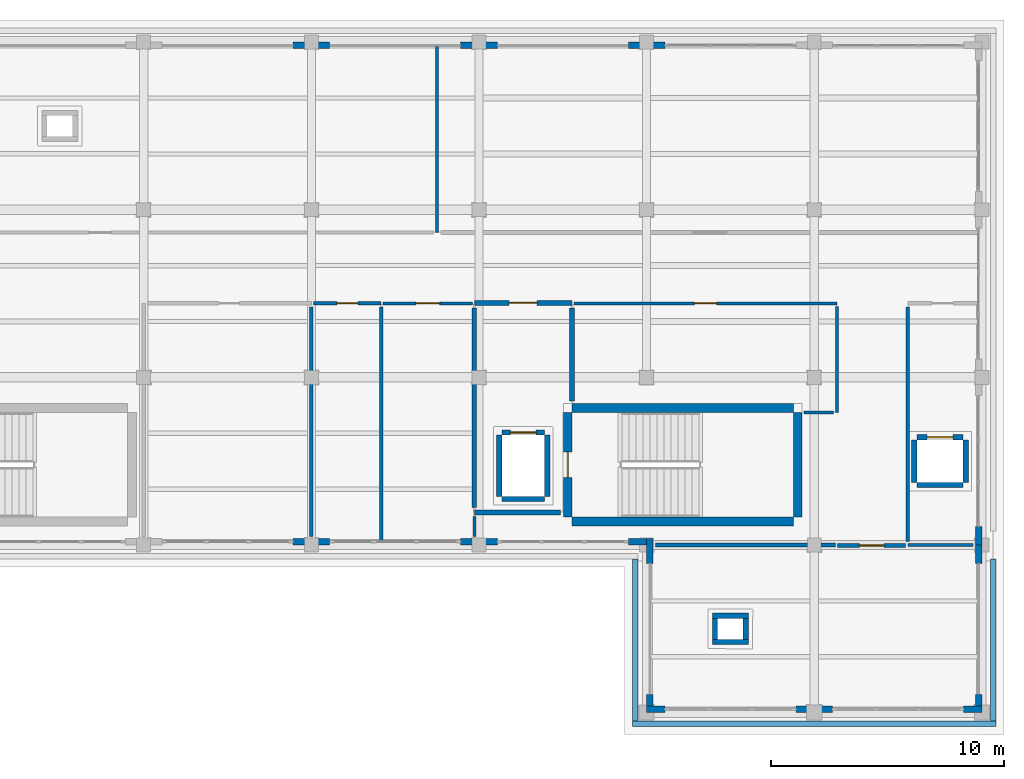
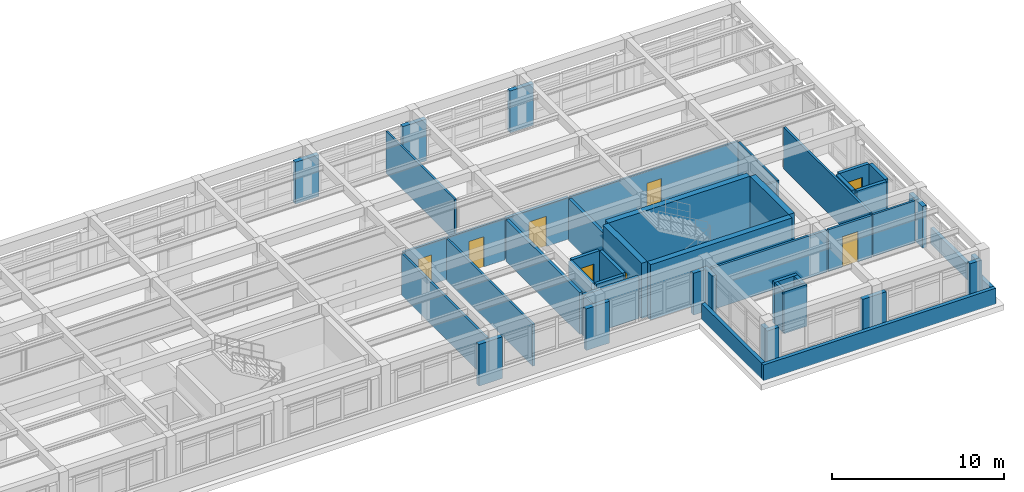
# One storey, part 15 of 19: 50 walls, 8 doors, 8 openings.
"""IFC4 building model written with IfcOpenShell, lengths in metres."""

import ifcopenshell
import ifcopenshell.guid

model = None  # the IFC model being written
_history = None  # IfcOwnerHistory: only IFC2X3 demands one
_inside = {}  # id of a spatial element -> (the spatial element, [elements in it])
_under = {}  # id of a project, library or spatial element -> (it, [spatial elements below it])
_declared = {}  # id of a project -> (the project, [libraries it declares])
_typed = {}  # id of a type object -> (the type object, [elements of that type])
_made_of = {}  # id of a material, layer set ... -> (it, [elements and type objects made of it])


def new_model(schema):
    """Start an empty IFC model of exactly this schema.

    Asked for "IFC4X3", IfcOpenShell would pick the latest addendum, in which some entities
    have other attributes; the version numbers below select the first issue.
    IFC2X3 requires an IfcOwnerHistory on every rooted entity: one is made here for all.
    """
    global model, _history
    if schema == "IFC4X3":
        model = ifcopenshell.file(schema_version=(4, 3, 0, 0))
    else:
        model = ifcopenshell.file(schema=schema)
    _inside.clear()
    _under.clear()
    _declared.clear()
    _typed.clear()
    _made_of.clear()
    _history = None
    if model.schema == "IFC2X3":
        org = make("IfcOrganization", Name="unknown")
        user = make(
            "IfcPersonAndOrganization",
            ThePerson=make("IfcPerson", FamilyName="unknown"),
            TheOrganization=org,
        )
        app = make(
            "IfcApplication",
            ApplicationDeveloper=org,
            Version="unknown",
            ApplicationFullName="unknown",
            ApplicationIdentifier="unknown",
        )
        _history = make(
            "IfcOwnerHistory",
            OwningUser=user,
            OwningApplication=app,
            ChangeAction="ADDED",
            CreationDate=0,
        )
    return model


def make(cls, **values):
    """One entity of the class cls with the attributes given. An attribute that is None is left unset."""
    return model.create_entity(
        cls, **{name: value for name, value in values.items() if value is not None}
    )


def rooted(cls, **values):
    """An entity with a GlobalId (a new one), such as an element, a storey or a relation."""
    return make(cls, GlobalId=ifcopenshell.guid.new(), OwnerHistory=_history, **values)


def si_unit(unit_type, name, prefix=None):
    """IfcSIUnit, for example si_unit("LENGTHUNIT", "METRE", prefix="MILLI")."""
    return make("IfcSIUnit", UnitType=unit_type, Prefix=prefix, Name=name)


def assignment(units):
    """IfcUnitAssignment: the units of a project."""
    return None if units is None else make("IfcUnitAssignment", Units=units)


def point(xyz):
    """IfcCartesianPoint."""
    return None if xyz is None else make("IfcCartesianPoint", Coordinates=xyz)


def direction(xyz):
    """IfcDirection."""
    return None if xyz is None else make("IfcDirection", DirectionRatios=xyz)


def frame(location, z_axis=None, x_axis=None):
    """IfcAxis2Placement3D, a coordinate frame: its origin and axes. An axis left out is left unset."""
    return make(
        "IfcAxis2Placement3D",
        Location=point(location),
        Axis=direction(z_axis),
        RefDirection=direction(x_axis),
    )


def frame_2d(location, x_axis=None):
    """IfcAxis2Placement2D, a coordinate frame in the plane: its origin and x axis."""
    return make(
        "IfcAxis2Placement2D", Location=point(location), RefDirection=direction(x_axis)
    )


def origin():
    """The frame at (0, 0, 0) with its axes left unset."""
    return frame((0.0, 0.0, 0.0))


def place(relative_to, where):
    """IfcLocalPlacement: puts the frame where relative to a parent placement (None: the world)."""
    return make(
        "IfcLocalPlacement", PlacementRelTo=relative_to, RelativePlacement=where
    )


def context(
    kind, dimensions, precision=None, world=None, true_north=None, identifier=None
):
    """IfcGeometricRepresentationContext, for example the 3D "Model" context."""
    return make(
        "IfcGeometricRepresentationContext",
        ContextIdentifier=identifier,
        ContextType=kind,
        CoordinateSpaceDimension=dimensions,
        Precision=precision,
        WorldCoordinateSystem=world,
        TrueNorth=true_north,
    )


def subcontext(parent, identifier, kind, view, scale=None):
    """IfcGeometricRepresentationSubContext, for example "Body" below "Model"."""
    return make(
        "IfcGeometricRepresentationSubContext",
        ContextIdentifier=identifier,
        ContextType=kind,
        ParentContext=parent,
        TargetScale=scale,
        TargetView=view,
    )


def project(units=None, contexts=None):
    """IfcProject with its units and contexts."""
    return rooted(
        "IfcProject",
        Name="project",
        RepresentationContexts=contexts,
        UnitsInContext=assignment(units),
    )


def spatial(cls, under=None, at=None, **own):
    """A site, building, storey or space (cls), placed at a placement, below another one or the project."""
    s = rooted(cls, ObjectPlacement=at, **own)
    if under is not None:
        _under.setdefault(under.id(), (under, []))[1].append(s)
    return s


def profile(cls, at=None, kind="AREA", **sizes):
    """A parametric profile (cls). Its sizes go by their IFC names, for example OverallWidth=200.0."""
    return make(cls, ProfileType=kind, Position=at, **sizes)


def rectangle(**sizes):
    """IfcRectangleProfileDef."""
    return profile("IfcRectangleProfileDef", **sizes)


def extrude(swept, where, along, depth):
    """IfcExtrudedAreaSolid: the profile swept, set in the frame where, extruded along a direction by depth."""
    return make(
        "IfcExtrudedAreaSolid",
        SweptArea=swept,
        Position=where,
        ExtrudedDirection=direction(along),
        Depth=depth,
    )


def shape(context_of_items, identifier, shape_type, items):
    """IfcShapeRepresentation: the items that make up one representation, for example the "Body"."""
    return make(
        "IfcShapeRepresentation",
        ContextOfItems=context_of_items,
        RepresentationIdentifier=identifier,
        RepresentationType=shape_type,
        Items=items,
    )


def material(Name=None, Category=None):
    """IfcMaterial."""
    return make("IfcMaterial", Name=Name, Category=Category)


def layer(
    of_material, thickness, ventilated=None, Name=None, Category=None, Priority=None
):
    """IfcMaterialLayer: one layer of a wall or slab, of a material (None: an air gap)."""
    return make(
        "IfcMaterialLayer",
        Material=of_material,
        LayerThickness=thickness,
        IsVentilated=ventilated,
        Name=Name,
        Category=Category,
        Priority=Priority,
    )


def layer_set(layers, Name=None):
    """IfcMaterialLayerSet."""
    return make("IfcMaterialLayerSet", MaterialLayers=layers, LayerSetName=Name)


def made_of(thing, what):
    """Note that an element or type object is made of a material, layer set ...; save() writes the relation."""
    if what is not None:
        _made_of.setdefault(what.id(), (what, []))[1].append(thing)
    return thing


def type_object(cls, material=None, **own):
    """A type object (cls), such as IfcWallType, which elements share."""
    return made_of(rooted(cls, **own), material)


def element(
    cls,
    number,
    at=None,
    inside=None,
    cuts=None,
    type_object=None,
    material=None,
    context=None,
    identifier="Body",
    shape_type=None,
    held_by="IfcProductDefinitionShape",
    body=None,
    shapes=None,
    **own,
):
    """One element of the class cls, such as IfcWall. Its Tag is "e" and its number.

    at: its placement. inside: the storey or other place that contains it. cuts: it is an
    opening in that element (IfcRelVoidsElement). A single representation is given by context,
    identifier, shape_type and body (its items); several are given by shapes. held_by: the class
    of the entity that holds the representations. save() writes the other relations.
    """
    e = rooted(cls, Tag="e%d" % number, ObjectPlacement=at, **own)
    if body is not None:
        shapes = [shape(context, identifier, shape_type, body)]
    if shapes is not None:
        e.Representation = make(held_by, Representations=shapes)
    if inside is not None:
        _inside.setdefault(inside.id(), (inside, []))[1].append(e)
    if cuts is not None:
        rooted(
            "IfcRelVoidsElement", RelatingBuildingElement=cuts, RelatedOpeningElement=e
        )
    if type_object is not None:
        _typed.setdefault(type_object.id(), (type_object, []))[1].append(e)
    return made_of(e, material)


def fill(opening, filler):
    """IfcRelFillsElement: the door or window that sits in an opening."""
    return rooted(
        "IfcRelFillsElement",
        RelatingOpeningElement=opening,
        RelatedBuildingElement=filler,
    )


def aggregate(whole, parts):
    """IfcRelAggregates: a whole, such as a stair, and the parts it consists of."""
    return rooted("IfcRelAggregates", RelatingObject=whole, RelatedObjects=parts)


def save(model, path):
    """Write the relations noted so far, then the file.

    IfcRelAggregates (storeys below a building ...), IfcRelContainedInSpatialStructure (elements
    in a storey), IfcRelDefinesByType, IfcRelAssociatesMaterial and IfcRelDeclares: one each for
    every whole, place, type object, material and project.
    """
    for whole, parts in _under.values():
        aggregate(whole, parts)
    for where, things in _inside.values():
        rooted(
            "IfcRelContainedInSpatialStructure",
            RelatedElements=things,
            RelatingStructure=where,
        )
    for kind, things in _typed.values():
        rooted("IfcRelDefinesByType", RelatedObjects=things, RelatingType=kind)
    for what, things in _made_of.values():
        rooted("IfcRelAssociatesMaterial", RelatedObjects=things, RelatingMaterial=what)
    for by, libraries in _declared.values():
        rooted("IfcRelDeclares", RelatingContext=by, RelatedDefinitions=libraries)
    model.write(path)


model = new_model("IFC4")

# Units and contexts
model_context = context("Model", 3, precision=1e-05, world=origin(), true_north=direction((0.0, 1.0)))
body_context = subcontext(model_context, "Body", "Model", "MODEL_VIEW")
ifc_project = project(units=[si_unit("LENGTHUNIT", "METRE"), si_unit("AREAUNIT", "SQUARE_METRE"), si_unit("VOLUMEUNIT", "CUBIC_METRE"), si_unit("PLANEANGLEUNIT", "RADIAN"), si_unit("MASSUNIT", "GRAM", prefix="KILO")], contexts=[model_context])

# Site, building, storey
site_placement = place(None, origin())
site = spatial("IfcSite", under=ifc_project, at=site_placement, CompositionType="ELEMENT")
building_placement = place(site_placement, origin())
building = spatial("IfcBuilding", under=site, at=building_placement, Name="Solenvale Faculty of Natural Sciences", CompositionType="ELEMENT")
storey_placement = place(building_placement, frame((0.0, 0.0, 27.0)))
storey = spatial("IfcBuildingStorey", under=building, at=storey_placement, Name="L06", CompositionType="ELEMENT", Elevation=27.0)

# Walls
ifc_material_1 = material(Name="Precast concrete 40 MPa", Category="concrete")
ifc_layer_1 = layer(ifc_material_1, 0.284912109375)
ifc_layer_set_1 = layer_set([ifc_layer_1], Name="Precast concrete 40 MPa")
wall_type_1 = type_object("IfcWallType", Name="WL-EXT-PRC-285", PredefinedType="STANDARD", material=ifc_layer_set_1)
wall_1_placement = place(storey_placement, frame((151.0576171875, 93.60009765625, 0.0), z_axis=(0.0, 0.0, 1.0), x_axis=(0.0, 1.0, 0.0)))
element("IfcWall", 1, at=wall_1_placement, inside=storey, type_object=wall_type_1, Name="L06 Facade Closure Pier 1.B1-L", PredefinedType="STANDARD", context=body_context, shape_type="SweptSolid", body=[
    extrude(rectangle(XDim=0.787841796875, YDim=0.284912109375, at=frame_2d((0.39404296875, 0.0))), origin(), (0.0, 0.0, 1.0), 2.9599609375),
])
for number, where, z_axis, x_axis, name in (
    (2, (137.587890625, 115.0576171875, 0.0), (0.0, 0.0, 1.0), (-1.0, 0.0, 0.0), "L06 Facade Closure Pier 2.B2-R"),
    (3, (130.387939453125, 115.0576171875, 0.0), (0.0, 0.0, 1.0), (-1.0, 0.0, 0.0), "L06 Facade Closure Pier 2.B3-R"),
    (4, (123.18798828125, 115.0576171875, 0.0), (0.0, 0.0, 1.0), (-1.0, 0.0, 0.0), "L06 Facade Closure Pier 2.B4-R"),
    (5, (121.612060546875, 93.742431640625, 0.0), (0.0, 0.0, 1.0), (1.0, 0.0, 0.0), "L06 Facade Closure Pier 4.B6-R"),
    (6, (128.81201171875, 93.742431640625, 0.0), (0.0, 0.0, 1.0), (1.0, 0.0, 0.0), "L06 Facade Closure Pier 4.B7-R"),
):
    element("IfcWall", number, at=place(storey_placement, frame(where, z_axis=z_axis, x_axis=x_axis)), inside=storey, type_object=wall_type_1, Name=name, PredefinedType="STANDARD", context=body_context, shape_type="SweptSolid", body=[
        extrude(rectangle(XDim=1.575927734375, YDim=0.284912109375, at=frame_2d((0.7880859375, 0.0))), origin(), (0.0, 0.0, 1.0), 2.9599609375),
    ])
wall_2_placement = place(storey_placement, frame((136.011962890625, 93.742431640625, 0.0), z_axis=(0.0, 0.0, 1.0), x_axis=(1.0, 0.0, 0.0)))
element("IfcWall", 7, at=wall_2_placement, inside=storey, type_object=wall_type_1, Name="L06 Facade Closure Pier 4.B8-R", PredefinedType="STANDARD", context=body_context, shape_type="SweptSolid", body=[
    extrude(rectangle(XDim=0.7880859375, YDim=0.284912109375, at=frame_2d((0.39404296875, 0.0))), origin(), (0.0, 0.0, 1.0), 2.9599609375),
])
wall_3_placement = place(storey_placement, frame((136.9423828125, 93.885009765625, 0.0), z_axis=(0.0, 0.0, 1.0), x_axis=(0.0, -1.0, 0.0)))
element("IfcWall", 8, at=wall_3_placement, inside=storey, type_object=wall_type_1, Name="L06 Facade Closure Pier 5.B1-L", PredefinedType="STANDARD", context=body_context, shape_type="SweptSolid", body=[
    extrude(rectangle(XDim=1.072998046875, YDim=0.284912109375, at=frame_2d((0.53662109375, 0.0))), origin(), (0.0, 0.0, 1.0), 2.9599609375),
])
wall_4_placement = place(storey_placement, frame((136.9423828125, 87.18798828125, 0.0), z_axis=(0.0, 0.0, 1.0), x_axis=(0.0, -1.0, 0.0)))
element("IfcWall", 9, at=wall_4_placement, inside=storey, type_object=wall_type_1, Name="L06 Facade Closure Pier 5.B1-R", PredefinedType="STANDARD", context=body_context, shape_type="SweptSolid", body=[
    extrude(rectangle(XDim=0.5029296875, YDim=0.284912109375, at=frame_2d((0.25146484375, 0.0))), origin(), (0.0, 0.0, 1.0), 2.9599609375),
])
wall_5_placement = place(storey_placement, frame((136.800048828125, 86.54248046875, 0.0), z_axis=(0.0, 0.0, 1.0), x_axis=(1.0, 0.0, 0.0)))
element("IfcWall", 10, at=wall_5_placement, inside=storey, type_object=wall_type_1, Name="L06 Facade Closure Pier 6.B1-L", PredefinedType="STANDARD", context=body_context, shape_type="SweptSolid", body=[
    extrude(rectangle(XDim=0.787841796875, YDim=0.284912109375, at=frame_2d((0.39404296875, 0.0))), origin(), (0.0, 0.0, 1.0), 2.9599609375),
])
wall_6_placement = place(storey_placement, frame((143.2119140625, 86.54248046875, 0.0), z_axis=(0.0, 0.0, 1.0), x_axis=(1.0, 0.0, 0.0)))
element("IfcWall", 11, at=wall_6_placement, inside=storey, type_object=wall_type_1, Name="L06 Facade Closure Pier 6.B1-R", PredefinedType="STANDARD", context=body_context, shape_type="SweptSolid", body=[
    extrude(rectangle(XDim=1.576171875, YDim=0.284912109375, at=frame_2d((0.7880859375, 0.0))), origin(), (0.0, 0.0, 1.0), 2.9599609375),
])
wall_7_placement = place(storey_placement, frame((150.412109375, 86.54248046875, 0.0), z_axis=(0.0, 0.0, 1.0), x_axis=(1.0, 0.0, 0.0)))
element("IfcWall", 12, at=wall_7_placement, inside=storey, type_object=wall_type_1, Name="L06 Facade Closure Pier 6.B2-R", PredefinedType="STANDARD", context=body_context, shape_type="SweptSolid", body=[
    extrude(rectangle(XDim=0.787841796875, YDim=0.284912109375, at=frame_2d((0.39404296875, 0.0))), origin(), (0.0, 0.0, 1.0), 2.9599609375),
])
wall_8_placement = place(storey_placement, frame((151.0576171875, 86.68505859375, 0.0), z_axis=(0.0, 0.0, 1.0), x_axis=(0.0, 1.0, 0.0)))
element("IfcWall", 13, at=wall_8_placement, inside=storey, type_object=wall_type_1, Name="L06 Facade Closure Pier 7.B1-L", PredefinedType="STANDARD", context=body_context, shape_type="SweptSolid", body=[
    extrude(rectangle(XDim=0.5029296875, YDim=0.284912109375, at=frame_2d((0.25146484375, 0.0))), origin(), (0.0, 0.0, 1.0), 2.9599609375),
])
wall_9_placement = place(storey_placement, frame((151.0576171875, 92.81201171875, 0.0), z_axis=(0.0, 0.0, 1.0), x_axis=(0.0, 1.0, 0.0)))
element("IfcWall", 14, at=wall_9_placement, inside=storey, type_object=wall_type_1, Name="L06 Facade Closure Pier 7.B1-R", PredefinedType="STANDARD", context=body_context, shape_type="SweptSolid", body=[
    extrude(rectangle(XDim=0.7880859375, YDim=0.284912109375, at=frame_2d((0.39404296875, 0.0))), origin(), (0.0, 0.0, 1.0), 2.9599609375),
])

# Wall, opening, door
ifc_material_2 = material(Name="Gypsum fire-rated shaftwall")
ifc_layer_2 = layer(ifc_material_2, 0.205078125)
ifc_layer_set_2 = layer_set([ifc_layer_2], Name="Gypsum fire-rated shaftwall")
wall_type_2 = type_object("IfcWallType", Name="WL-FFL-205", PredefinedType="PARTITIONING", material=ifc_layer_set_2)
wall_10_placement = place(storey_placement, frame((129.39990234375, 104.0, 0.0), z_axis=(0.0, 0.0, 1.0), x_axis=(1.0, 0.0, 0.0)))
wall_10 = element("IfcWall", 15, at=wall_10_placement, inside=storey, type_object=wall_type_2, Name="L06 Firefighting Lobby C5 Partition 1", PredefinedType="PARTITIONING", context=body_context, shape_type="SweptSolid", body=[
    extrude(rectangle(XDim=4.2001953125, YDim=0.205078125, at=frame_2d((2.10009765625, 0.0))), origin(), (0.0, 0.0, 1.0), 2.9599609375),
])
opening_1_placement = place(wall_10_placement, frame((1.5, 0.0, 0.0)))
opening_1 = element("IfcOpeningElement", 16, at=opening_1_placement, cuts=wall_10, Name="Opening D-L06-02", PredefinedType="OPENING", context=body_context, shape_type="SweptSolid", body=[
    extrude(rectangle(XDim=1.199951171875, YDim=2.14990234375, at=frame_2d((0.60009765625, 1.074951171875))), frame((0.0, 0.112548828125, 0.0), z_axis=(0.0, -1.0, 0.0), x_axis=(1.0, 0.0, 0.0)), (0.0, 0.0, 1.0), 0.22509765625),
])
ifc_material_3 = material(Name="Galvanised steel S355", Category="steel")
door_type_1 = type_object("IfcDoorType", Name="DR-FFL-1200x2150", OperationType="NOTDEFINED", PredefinedType="DOOR", material=ifc_material_3)
door_1_placement = place(opening_1_placement, origin())
door_1 = element("IfcDoor", 17, at=door_1_placement, inside=storey, type_object=door_type_1, Name="L06 Firefighting Lobby C5 Door", OperationType="SINGLE_SWING_LEFT", OverallHeight=2.14990234375, OverallWidth=1.199951171875, PredefinedType="DOOR", context=body_context, shape_type="SweptSolid", body=[
    extrude(rectangle(XDim=1.199951171875, YDim=2.14990234375, at=frame_2d((0.60009765625, 1.074951171875))), frame((0.0, 0.02490234375, 0.0), z_axis=(0.0, -1.0, 0.0), x_axis=(1.0, 0.0, 0.0)), (0.0, 0.0, 1.0), 0.050048828125),
])
fill(opening_1, door_1)

# Walls
wall_11_placement = place(storey_placement, frame((133.60009765625, 103.782958984375, 0.0), z_axis=(0.0, 0.0, 1.0), x_axis=(0.0, -1.0, 0.0)))
element("IfcWall", 18, at=wall_11_placement, inside=storey, type_object=wall_type_2, Name="L06 Firefighting Lobby C5 Partition 2", PredefinedType="PARTITIONING", context=body_context, shape_type="SweptSolid", body=[
    extrude(rectangle(XDim=3.989013671875, YDim=0.205078125, at=frame_2d((1.99462890625, 0.0))), origin(), (0.0, 0.0, 1.0), 2.9599609375),
])
wall_12_placement = place(storey_placement, frame((133.10595703125, 95.0, 0.0), z_axis=(0.0, 0.0, 1.0), x_axis=(-1.0, 0.0, 0.0)))
element("IfcWall", 19, at=wall_12_placement, inside=storey, type_object=wall_type_2, Name="L06 Firefighting Lobby C5 Partition 20", PredefinedType="PARTITIONING", context=body_context, shape_type="SweptSolid", body=[
    extrude(rectangle(XDim=3.7060546875, YDim=0.205078125, at=frame_2d((1.85302734375, 0.0))), origin(), (0.0, 0.0, 1.0), 2.9599609375),
])
wall_13_placement = place(storey_placement, frame((129.39990234375, 95.217041015625, 0.0), z_axis=(0.0, 0.0, 1.0), x_axis=(0.0, 1.0, 0.0)))
element("IfcWall", 20, at=wall_13_placement, inside=storey, type_object=wall_type_2, Name="L06 Firefighting Lobby C5 Partition 21", PredefinedType="PARTITIONING", context=body_context, shape_type="SweptSolid", body=[
    extrude(rectangle(XDim=8.56591796875, YDim=0.205078125, at=frame_2d((4.282958984375, 0.0))), origin(), (0.0, 0.0, 1.0), 2.9599609375),
])

# Wall, opening, door
ifc_material_4 = material(Name="Acoustic stud gypsum partition")
ifc_layer_3 = layer(ifc_material_4, 0.125)
ifc_layer_set_3 = layer_set([ifc_layer_3], Name="Acoustic stud gypsum partition")
wall_type_3 = type_object("IfcWallType", Name="WL-OFF-125", PredefinedType="PARTITIONING", material=ifc_layer_set_3)
wall_14_placement = place(storey_placement, frame((125.47509765625, 103.97998046875, 0.0), z_axis=(0.0, 0.0, 1.0), x_axis=(1.0, 0.0, 0.0)))
wall_14 = element("IfcWall", 21, at=wall_14_placement, inside=storey, type_object=wall_type_3, Name="L06 Analytical Balance Room Partition 2", PredefinedType="PARTITIONING", context=body_context, shape_type="SweptSolid", body=[
    extrude(rectangle(XDim=3.850830078125, YDim=0.125, at=frame_2d((1.92529296875, 0.0))), origin(), (0.0, 0.0, 1.0), 2.9599609375),
])
opening_2_placement = place(wall_14_placement, frame((1.4150390625, 0.0, 0.0)))
opening_2 = element("IfcOpeningElement", 22, at=opening_2_placement, cuts=wall_14, Name="Opening D-L06-09", PredefinedType="OPENING", context=body_context, shape_type="SweptSolid", body=[
    extrude(rectangle(XDim=1.02001953125, YDim=2.14990234375, at=frame_2d((0.510009765625, 1.074951171875))), frame((0.0, 0.072509765625, 0.0), z_axis=(0.0, -1.0, 0.0), x_axis=(1.0, 0.0, 0.0)), (0.0, 0.0, 1.0), 0.14501953125),
])
ifc_material_5 = material(Name="Oak acoustic timber leaf", Category="wood")
door_type_2 = type_object("IfcDoorType", Name="DR-OFF-1020x2150", OperationType="NOTDEFINED", PredefinedType="DOOR", material=ifc_material_5)
door_2_placement = place(opening_2_placement, origin())
door_2 = element("IfcDoor", 23, at=door_2_placement, inside=storey, type_object=door_type_2, Name="L06 Analytical Balance Room Door", OperationType="SINGLE_SWING_RIGHT", OverallHeight=2.14990234375, OverallWidth=1.02001953125, PredefinedType="DOOR", context=body_context, shape_type="SweptSolid", body=[
    extrude(rectangle(XDim=1.02001953125, YDim=2.14990234375, at=frame_2d((0.510009765625, 1.074951171875))), frame((0.0, 0.02490234375, 0.0), z_axis=(0.0, -1.0, 0.0), x_axis=(1.0, 0.0, 0.0)), (0.0, 0.0, 1.0), 0.050048828125),
])
fill(opening_2, door_2)

# Wall
wall_15_placement = place(storey_placement, frame((129.39990234375, 94.822998046875, 0.0), z_axis=(0.0, 0.0, 1.0), x_axis=(0.0, -1.0, 0.0)))
element("IfcWall", 24, at=wall_15_placement, inside=storey, type_object=wall_type_3, Name="L06 Analytical Balance Room Partition 20", PredefinedType="PARTITIONING", context=body_context, shape_type="SweptSolid", body=[
    extrude(rectangle(XDim=0.863037109375, YDim=0.125, at=frame_2d((0.431640625, 0.0))), origin(), (0.0, 0.0, 1.0), 2.9599609375),
])

# Wall, opening, door
ifc_layer_4 = layer(ifc_material_4, 0.132080078125)
ifc_layer_set_4 = layer_set([ifc_layer_4], Name="Acoustic stud gypsum partition")
wall_type_4 = type_object("IfcWallType", Name="WL-OFF-132", PredefinedType="PARTITIONING", material=ifc_layer_set_4)
wall_16_placement = place(storey_placement, frame((133.677978515625, 103.97998046875, 0.0), z_axis=(0.0, 0.0, 1.0), x_axis=(1.0, 0.0, 0.0)))
wall_16 = element("IfcWall", 25, at=wall_16_placement, inside=storey, type_object=wall_type_4, Name="L06 Building Electrical and Telecom Closet Partition 18", PredefinedType="PARTITIONING", context=body_context, shape_type="SweptSolid", body=[
    extrude(rectangle(XDim=11.302001953125, YDim=0.132080078125, at=frame_2d((5.65087890625, 0.0))), origin(), (0.0, 0.0, 1.0), 2.9599609375),
])
opening_3_placement = place(wall_16_placement, frame((5.176025390625, 0.0, 0.0)))
opening_3 = element("IfcOpeningElement", 26, at=opening_3_placement, cuts=wall_16, Name="Opening D-L06-10", PredefinedType="OPENING", context=body_context, shape_type="SweptSolid", body=[
    extrude(rectangle(XDim=0.949951171875, YDim=2.10009765625, at=frame_2d((0.47509765625, 1.050048828125))), frame((0.0, 0.075927734375, 0.0), z_axis=(0.0, -1.0, 0.0), x_axis=(1.0, 0.0, 0.0)), (0.0, 0.0, 1.0), 0.152099609375),
])
door_type_3 = type_object("IfcDoorType", Name="DR-OFF-0950x2100", OperationType="NOTDEFINED", PredefinedType="DOOR", material=ifc_material_5)
door_3_placement = place(opening_3_placement, origin())
door_3 = element("IfcDoor", 27, at=door_3_placement, inside=storey, type_object=door_type_3, Name="L06 Building Electrical and Telecom Closet Door", OperationType="SINGLE_SWING_LEFT", OverallHeight=2.10009765625, OverallWidth=0.949951171875, PredefinedType="DOOR", context=body_context, shape_type="SweptSolid", body=[
    extrude(rectangle(XDim=0.949951171875, YDim=2.10009765625, at=frame_2d((0.47509765625, 1.050048828125))), frame((0.0, 0.02490234375, 0.0), z_axis=(0.0, -1.0, 0.0), x_axis=(1.0, 0.0, 0.0)), (0.0, 0.0, 1.0), 0.050048828125),
])
fill(opening_3, door_3)

# Walls
wall_17_placement = place(storey_placement, frame((144.97998046875, 103.8359375, 0.0), z_axis=(0.0, 0.0, 1.0), x_axis=(0.0, -1.0, 0.0)))
element("IfcWall", 28, at=wall_17_placement, inside=storey, type_object=wall_type_4, Name="L06 Building Electrical and Telecom Closet Partition 19", PredefinedType="PARTITIONING", context=body_context, shape_type="SweptSolid", body=[
    extrude(rectangle(XDim=4.535888671875, YDim=0.132080078125, at=frame_2d((2.26806640625, 0.0))), origin(), (0.0, 0.0, 1.0), 2.9599609375),
])
wall_18_placement = place(storey_placement, frame((144.8359375, 99.300048828125, 0.0), z_axis=(0.0, 0.0, 1.0), x_axis=(-1.0, 0.0, 0.0)))
element("IfcWall", 29, at=wall_18_placement, inside=storey, type_object=wall_type_4, Name="L06 Building Electrical and Telecom Closet Partition 20", PredefinedType="PARTITIONING", context=body_context, shape_type="SweptSolid", body=[
    extrude(rectangle(XDim=1.27783203125, YDim=0.132080078125, at=frame_2d((0.638916015625, 0.0))), origin(), (0.0, 0.0, 1.0), 2.9599609375),
])
ifc_layer_5 = layer(ifc_material_4, 0.139892578125)
ifc_layer_set_5 = layer_set([ifc_layer_5], Name="Acoustic stud gypsum partition")
wall_type_5 = type_object("IfcWallType", Name="WL-OFF-140", PredefinedType="PARTITIONING", material=ifc_layer_set_5)
wall_19_placement = place(storey_placement, frame((127.800048828125, 115.01708984375, 0.0), z_axis=(0.0, 0.0, 1.0), x_axis=(0.0, -1.0, 0.0)))
element("IfcWall", 30, at=wall_19_placement, inside=storey, type_object=wall_type_5, Name="L06 Faculty Staff Office Partition 3", PredefinedType="PARTITIONING", context=body_context, shape_type="SweptSolid", body=[
    extrude(rectangle(XDim=7.9970703125, YDim=0.139892578125, at=frame_2d((3.99853515625, 0.0))), origin(), (0.0, 0.0, 1.0), 2.9599609375),
])
ifc_layer_6 = layer(ifc_material_4, 0.14794921875)
ifc_layer_set_6 = layer_set([ifc_layer_6], Name="Acoustic stud gypsum partition")
wall_type_6 = type_object("IfcWallType", Name="WL-OFF-148", PredefinedType="PARTITIONING", material=ifc_layer_set_6)
wall_20_placement = place(storey_placement, frame((150.8291015625, 93.60009765625, 0.0), z_axis=(0.0, 0.0, 1.0), x_axis=(-1.0, 0.0, 0.0)))
element("IfcWall", 31, at=wall_20_placement, inside=storey, type_object=wall_type_6, Name="L06 Elevator Lobby Partition 3", PredefinedType="PARTITIONING", context=body_context, shape_type="SweptSolid", body=[
    extrude(rectangle(XDim=2.80908203125, YDim=0.14794921875, at=frame_2d((1.404541015625, 0.0))), origin(), (0.0, 0.0, 1.0), 2.9599609375),
])
wall_21_placement = place(storey_placement, frame((148.02001953125, 93.760009765625, 0.0), z_axis=(0.0, 0.0, 1.0), x_axis=(0.0, 1.0, 0.0)))
element("IfcWall", 32, at=wall_21_placement, inside=storey, type_object=wall_type_6, Name="L06 Elevator Lobby Partition 4", PredefinedType="PARTITIONING", context=body_context, shape_type="SweptSolid", body=[
    extrude(rectangle(XDim=10.06005859375, YDim=0.14794921875, at=frame_2d((5.030029296875, 0.0))), origin(), (0.0, 0.0, 1.0), 2.9599609375),
])
ifc_material_6 = material(Name="Architectural bronze concrete 40 MPa", Category="concrete")
ifc_layer_7 = layer(ifc_material_6, 0.239990234375)
ifc_layer_set_7 = layer_set([ifc_layer_7], Name="Architectural bronze concrete 40 MPa")
wall_type_7 = type_object("IfcWallType", Name="WL-PAR-BRZ-240", PredefinedType="PARAPET", material=ifc_layer_set_7)
wall_22_placement = place(storey_placement, frame((151.679931640625, 93.0, 0.0), z_axis=(0.0, 0.0, 1.0), x_axis=(0.0, -1.0, 0.0)))
element("IfcWall", 33, at=wall_22_placement, inside=storey, type_object=wall_type_7, Name="L06 Tower Horizontal Concrete Band 5", PredefinedType="PARAPET", context=body_context, shape_type="SweptSolid", body=[
    extrude(rectangle(XDim=6.9599609375, YDim=0.239990234375, at=frame_2d((3.47998046875, 0.0))), origin(), (0.0, 0.0, 1.0), 1.1201171875),
])
wall_23_placement = place(storey_placement, frame((151.800048828125, 85.919921875, 0.0), z_axis=(0.0, 0.0, 1.0), x_axis=(-1.0, 0.0, 0.0)))
element("IfcWall", 34, at=wall_23_placement, inside=storey, type_object=wall_type_7, Name="L06 Tower Horizontal Concrete Band 6", PredefinedType="PARAPET", context=body_context, shape_type="SweptSolid", body=[
    extrude(rectangle(XDim=15.60009765625, YDim=0.239990234375, at=frame_2d((7.800048828125, 0.0))), origin(), (0.0, 0.0, 1.0), 1.1201171875),
])
wall_24_placement = place(storey_placement, frame((136.320068359375, 86.0400390625, 0.0), z_axis=(0.0, 0.0, 1.0), x_axis=(0.0, 1.0, 0.0)))
element("IfcWall", 35, at=wall_24_placement, inside=storey, type_object=wall_type_7, Name="L06 Tower Horizontal Concrete Band 7", PredefinedType="PARAPET", context=body_context, shape_type="SweptSolid", body=[
    extrude(rectangle(XDim=6.9599609375, YDim=0.239990234375, at=frame_2d((3.47998046875, 0.0))), origin(), (0.0, 0.0, 1.0), 1.1201171875),
])

# Wall, opening, door
ifc_material_7 = material(Name="Acoustic double-stud gypsum partition")
ifc_layer_8 = layer(ifc_material_7, 0.1650390625)
ifc_layer_set_8 = layer_set([ifc_layer_8], Name="Acoustic double-stud gypsum partition")
wall_type_8 = type_object("IfcWallType", Name="WL-SEM-165", PredefinedType="PARTITIONING", material=ifc_layer_set_8)
wall_25_placement = place(storey_placement, frame((145.0, 93.580078125, 0.0), z_axis=(0.0, 0.0, 1.0), x_axis=(1.0, 0.0, 0.0)))
wall_25 = element("IfcWall", 36, at=wall_25_placement, inside=storey, type_object=wall_type_8, Name="L06 Seminar Room Partition 16", PredefinedType="PARTITIONING", context=body_context, shape_type="SweptSolid", body=[
    extrude(rectangle(XDim=2.925048828125, YDim=0.1650390625, at=frame_2d((1.46240234375, 0.0))), origin(), (0.0, 0.0, 1.0), 2.9599609375),
])
opening_4_placement = place(wall_25_placement, frame((0.93798828125, 0.0, 0.0)))
opening_4 = element("IfcOpeningElement", 37, at=opening_4_placement, cuts=wall_25, Name="Opening D-L06-12", PredefinedType="OPENING", context=body_context, shape_type="SweptSolid", body=[
    extrude(rectangle(XDim=1.050048828125, YDim=2.14990234375, at=frame_2d((0.52490234375, 1.074951171875))), frame((0.0, 0.092529296875, 0.0), z_axis=(0.0, -1.0, 0.0), x_axis=(1.0, 0.0, 0.0)), (0.0, 0.0, 1.0), 0.18505859375),
])
door_type_4 = type_object("IfcDoorType", Name="DR-SEM-1050x2150", OperationType="NOTDEFINED", PredefinedType="DOOR", material=ifc_material_5)
door_4_placement = place(opening_4_placement, origin())
door_4 = element("IfcDoor", 38, at=door_4_placement, inside=storey, type_object=door_type_4, Name="L06 Seminar Room Door", OperationType="SINGLE_SWING_LEFT", OverallHeight=2.14990234375, OverallWidth=1.050048828125, PredefinedType="DOOR", context=body_context, shape_type="SweptSolid", body=[
    extrude(rectangle(XDim=1.050048828125, YDim=2.14990234375, at=frame_2d((0.52490234375, 1.074951171875))), frame((0.0, 0.02490234375, 0.0), z_axis=(0.0, -1.0, 0.0), x_axis=(1.0, 0.0, 0.0)), (0.0, 0.0, 1.0), 0.050048828125),
])
fill(opening_4, door_4)

# Walls
wall_26_placement = place(storey_placement, frame((137.179931640625, 93.60009765625, 0.0), z_axis=(0.0, 0.0, 1.0), x_axis=(1.0, 0.0, 0.0)))
element("IfcWall", 39, at=wall_26_placement, inside=storey, type_object=wall_type_8, Name="L06 Seminar Room Partition 33", PredefinedType="PARTITIONING", context=body_context, shape_type="SweptSolid", body=[
    extrude(rectangle(XDim=7.72509765625, YDim=0.1650390625, at=frame_2d((3.862548828125, 0.0))), origin(), (0.0, 0.0, 1.0), 2.9599609375),
])
ifc_material_8 = material(Name="Concrete 40 MPa", Category="concrete")
ifc_layer_9 = layer(ifc_material_8, 0.219970703125)
ifc_layer_set_9 = layer_set([ifc_layer_9], Name="Concrete 40 MPa")
wall_type_9 = type_object("IfcWallType", Name="WL-SHF-220", PredefinedType="STANDARD", material=ifc_layer_set_9)
wall_27_placement = place(storey_placement, frame((130.580078125, 95.570068359375, 0.0), z_axis=(0.0, 0.0, 1.0), x_axis=(1.0, 0.0, 0.0)))
element("IfcWall", 40, at=wall_27_placement, inside=storey, type_object=wall_type_9, Name="Elevator LF-02 L06 Shaft Wall S", PredefinedType="STANDARD", context=body_context, shape_type="SweptSolid", body=[
    extrude(rectangle(XDim=1.83984375, YDim=0.219970703125, at=frame_2d((0.919921875, 0.0))), origin(), (0.0, 0.0, 1.0), 2.9599609375),
])

# Wall, opening, door
wall_28_placement = place(storey_placement, frame((130.580078125, 98.429931640625, 0.0), z_axis=(0.0, 0.0, 1.0), x_axis=(1.0, 0.0, 0.0)))
wall_28 = element("IfcWall", 41, at=wall_28_placement, inside=storey, type_object=wall_type_9, Name="Elevator LF-02 L06 Shaft Wall N", PredefinedType="STANDARD", context=body_context, shape_type="SweptSolid", body=[
    extrude(rectangle(XDim=1.83984375, YDim=0.219970703125, at=frame_2d((0.919921875, 0.0))), origin(), (0.0, 0.0, 1.0), 2.9599609375),
])
opening_5_placement = place(wall_28_placement, frame((0.3701171875, 0.0, 0.0)))
opening_5 = element("IfcOpeningElement", 42, at=opening_5_placement, cuts=wall_28, Name="Opening LD-LF-02-L06", PredefinedType="OPENING", context=body_context, shape_type="SweptSolid", body=[
    extrude(rectangle(XDim=1.10009765625, YDim=2.14990234375, at=frame_2d((0.550048828125, 1.074951171875))), frame((0.0, 0.119873046875, 0.0), z_axis=(0.0, -1.0, 0.0), x_axis=(1.0, 0.0, 0.0)), (0.0, 0.0, 1.0), 0.239990234375),
])
ifc_material_9 = material(Name="Stainless steel Grade 304", Category="steel")
door_type_5 = type_object("IfcDoorType", Name="DR-LIFT-1100x2150", OperationType="NOTDEFINED", PredefinedType="DOOR", material=ifc_material_9)
door_5_placement = place(opening_5_placement, origin())
door_5 = element("IfcDoor", 43, at=door_5_placement, inside=storey, type_object=door_type_5, Name="Elevator LF-02 L06 Sliding Landing Door", OperationType="SLIDING_TO_LEFT", OverallHeight=2.14990234375, OverallWidth=1.10009765625, PredefinedType="DOOR", context=body_context, shape_type="SweptSolid", body=[
    extrude(rectangle(XDim=1.10009765625, YDim=2.14990234375, at=frame_2d((0.550048828125, 1.074951171875))), frame((0.0, 0.02490234375, 0.0), z_axis=(0.0, -1.0, 0.0), x_axis=(1.0, 0.0, 0.0)), (0.0, 0.0, 1.0), 0.050048828125),
])
fill(opening_5, door_5)

# Walls
for number, where, z_axis, x_axis, name in (
    (44, (130.469970703125, 95.679931640625, 0.0), (0.0, 0.0, 1.0), (0.0, 1.0, 0.0), "Elevator LF-02 L06 Shaft Wall W"),
    (45, (132.530029296875, 95.679931640625, 0.0), (0.0, 0.0, 1.0), (0.0, 1.0, 0.0), "Elevator LF-02 L06 Shaft Wall E"),
):
    element("IfcWall", number, at=place(storey_placement, frame(where, z_axis=z_axis, x_axis=x_axis)), inside=storey, type_object=wall_type_9, Name=name, PredefinedType="STANDARD", context=body_context, shape_type="SweptSolid", body=[
        extrude(rectangle(XDim=2.64013671875, YDim=0.219970703125, at=frame_2d((1.320068359375, 0.0))), origin(), (0.0, 0.0, 1.0), 2.9599609375),
    ])
wall_29_placement = place(storey_placement, frame((148.405029296875, 96.169921875, 0.0), z_axis=(0.0, 0.0, 1.0), x_axis=(1.0, 0.0, 0.0)))
element("IfcWall", 46, at=wall_29_placement, inside=storey, type_object=wall_type_9, Name="Elevator LP-03 L06 Shaft Wall S", PredefinedType="STANDARD", context=body_context, shape_type="SweptSolid", body=[
    extrude(rectangle(XDim=1.989990234375, YDim=0.219970703125, at=frame_2d((0.9951171875, 0.0))), origin(), (0.0, 0.0, 1.0), 2.9599609375),
])

# Wall, opening, door
wall_30_placement = place(storey_placement, frame((148.405029296875, 98.22998046875, 0.0), z_axis=(0.0, 0.0, 1.0), x_axis=(1.0, 0.0, 0.0)))
wall_30 = element("IfcWall", 47, at=wall_30_placement, inside=storey, type_object=wall_type_9, Name="Elevator LP-03 L06 Shaft Wall N", PredefinedType="STANDARD", context=body_context, shape_type="SweptSolid", body=[
    extrude(rectangle(XDim=1.989990234375, YDim=0.219970703125, at=frame_2d((0.9951171875, 0.0))), origin(), (0.0, 0.0, 1.0), 2.9599609375),
])
opening_6_placement = place(wall_30_placement, frame((0.445068359375, 0.0, 0.0)))
opening_6 = element("IfcOpeningElement", 48, at=opening_6_placement, cuts=wall_30, Name="Opening LD-LP-03-L06", PredefinedType="OPENING", context=body_context, shape_type="SweptSolid", body=[
    extrude(rectangle(XDim=1.10009765625, YDim=2.14990234375, at=frame_2d((0.550048828125, 1.074951171875))), frame((0.0, 0.119873046875, 0.0), z_axis=(0.0, -1.0, 0.0), x_axis=(1.0, 0.0, 0.0)), (0.0, 0.0, 1.0), 0.239990234375),
])
door_6_placement = place(opening_6_placement, origin())
door_6 = element("IfcDoor", 49, at=door_6_placement, inside=storey, type_object=door_type_5, Name="Elevator LP-03 L06 Sliding Landing Door", OperationType="SLIDING_TO_LEFT", OverallHeight=2.14990234375, OverallWidth=1.10009765625, PredefinedType="DOOR", context=body_context, shape_type="SweptSolid", body=[
    extrude(rectangle(XDim=1.10009765625, YDim=2.14990234375, at=frame_2d((0.550048828125, 1.074951171875))), frame((0.0, 0.02490234375, 0.0), z_axis=(0.0, -1.0, 0.0), x_axis=(1.0, 0.0, 0.0)), (0.0, 0.0, 1.0), 0.050048828125),
])
fill(opening_6, door_6)

# Walls
for number, where, z_axis, x_axis, name in (
    (50, (148.294921875, 96.280029296875, 0.0), (0.0, 0.0, 1.0), (0.0, 1.0, 0.0), "Elevator LP-03 L06 Shaft Wall W"),
    (51, (150.5048828125, 96.280029296875, 0.0), (0.0, 0.0, 1.0), (0.0, 1.0, 0.0), "Elevator LP-03 L06 Shaft Wall E"),
):
    element("IfcWall", number, at=place(storey_placement, frame(where, z_axis=z_axis, x_axis=x_axis)), inside=storey, type_object=wall_type_9, Name=name, PredefinedType="STANDARD", context=body_context, shape_type="SweptSolid", body=[
        extrude(rectangle(XDim=1.840087890625, YDim=0.219970703125, at=frame_2d((0.919921875, 0.0))), origin(), (0.0, 0.0, 1.0), 2.9599609375),
    ])
for number, where, z_axis, x_axis, name in (
    (52, (139.6298828125, 89.43994140625, 0.0), (0.0, 0.0, 1.0), (1.0, 0.0, 0.0), "L06 Service Riser Shaft 3 Wall S"),
    (53, (139.6298828125, 90.56005859375, 0.0), (0.0, 0.0, 1.0), (1.0, 0.0, 0.0), "L06 Service Riser Shaft 3 Wall N"),
):
    element("IfcWall", number, at=place(storey_placement, frame(where, z_axis=z_axis, x_axis=x_axis)), inside=storey, type_object=wall_type_9, Name=name, PredefinedType="STANDARD", context=body_context, shape_type="SweptSolid", body=[
        extrude(rectangle(XDim=1.5400390625, YDim=0.219970703125, at=frame_2d((0.77001953125, 0.0))), origin(), (0.0, 0.0, 1.0), 2.9599609375),
    ])
for number, where, z_axis, x_axis, name in (
    (54, (139.739990234375, 89.550048828125, 0.0), (0.0, 0.0, 1.0), (0.0, 1.0, 0.0), "L06 Service Riser Shaft 3 Wall W"),
    (55, (141.06005859375, 89.550048828125, 0.0), (0.0, 0.0, 1.0), (0.0, 1.0, 0.0), "L06 Service Riser Shaft 3 Wall E"),
):
    element("IfcWall", number, at=place(storey_placement, frame(where, z_axis=z_axis, x_axis=x_axis)), inside=storey, type_object=wall_type_9, Name=name, PredefinedType="STANDARD", context=body_context, shape_type="SweptSolid", body=[
        extrude(rectangle(XDim=0.89990234375, YDim=0.219970703125, at=frame_2d((0.449951171875, 0.0))), origin(), (0.0, 0.0, 1.0), 2.9599609375),
    ])
ifc_material_10 = material(Name="Concrete 50 MPa", Category="concrete")
ifc_layer_10 = layer(ifc_material_10, 0.3798828125)
ifc_layer_set_10 = layer_set([ifc_layer_10], Name="Concrete 50 MPa")
wall_type_10 = type_object("IfcWallType", Name="WL-SHR-380", PredefinedType="SHEAR", material=ifc_layer_set_10)
for number, where, z_axis, x_axis, name in (
    (56, (133.60009765625, 94.610107421875, 0.0), (0.0, 0.0, 1.0), (1.0, 0.0, 0.0), "Core C5 L06 Shear Wall S"),
    (57, (133.60009765625, 99.489990234375, 0.0), (0.0, 0.0, 1.0), (1.0, 0.0, 0.0), "Core C5 L06 Shear Wall N"),
):
    element("IfcWall", number, at=place(storey_placement, frame(where, z_axis=z_axis, x_axis=x_axis)), inside=storey, type_object=wall_type_10, Name=name, PredefinedType="SHEAR", context=body_context, shape_type="SweptSolid", body=[
        extrude(rectangle(XDim=9.5, YDim=0.3798828125, at=frame_2d((4.75, 0.0))), origin(), (0.0, 0.0, 1.0), 3.919921875),
    ])

# Wall, opening, door
wall_31_placement = place(storey_placement, frame((133.409912109375, 94.800048828125, 0.0), z_axis=(0.0, 0.0, 1.0), x_axis=(0.0, 1.0, 0.0)))
wall_31 = element("IfcWall", 58, at=wall_31_placement, inside=storey, type_object=wall_type_10, Name="Core C5 L06 Shear Wall W", PredefinedType="SHEAR", context=body_context, shape_type="SweptSolid", body=[
    extrude(rectangle(XDim=4.5, YDim=0.3798828125, at=frame_2d((2.25, 0.0))), origin(), (0.0, 0.0, 1.0), 3.919921875),
])
opening_7_placement = place(wall_31_placement, frame((1.699951171875, 0.0, 0.0)))
opening_7 = element("IfcOpeningElement", 59, at=opening_7_placement, cuts=wall_31, Name="Opening DS-C5-L06", PredefinedType="OPENING", context=body_context, shape_type="SweptSolid", body=[
    extrude(rectangle(XDim=1.10009765625, YDim=2.14990234375, at=frame_2d((0.550048828125, 1.074951171875))), frame((0.0, 0.199951171875, 0.0), z_axis=(0.0, -1.0, 0.0), x_axis=(1.0, 0.0, 0.0)), (0.0, 0.0, 1.0), 0.39990234375),
])
door_type_6 = type_object("IfcDoorType", Name="DR-STAIR-1100x2150", OperationType="NOTDEFINED", PredefinedType="DOOR", material=ifc_material_3)
door_7_placement = place(opening_7_placement, origin())
door_7 = element("IfcDoor", 60, at=door_7_placement, inside=storey, type_object=door_type_6, Name="L06 Stair ST-05 Fire Door", OperationType="SINGLE_SWING_LEFT", OverallHeight=2.14990234375, OverallWidth=1.10009765625, PredefinedType="DOOR", context=body_context, shape_type="SweptSolid", body=[
    extrude(rectangle(XDim=1.10009765625, YDim=2.14990234375, at=frame_2d((0.550048828125, 1.074951171875))), frame((0.0, 0.02490234375, 0.0), z_axis=(0.0, -1.0, 0.0), x_axis=(1.0, 0.0, 0.0)), (0.0, 0.0, 1.0), 0.050048828125),
])
fill(opening_7, door_7)

# Walls
wall_32_placement = place(storey_placement, frame((143.2900390625, 94.800048828125, 0.0), z_axis=(0.0, 0.0, 1.0), x_axis=(0.0, 1.0, 0.0)))
element("IfcWall", 61, at=wall_32_placement, inside=storey, type_object=wall_type_10, Name="Core C5 L06 Shear Wall E", PredefinedType="SHEAR", context=body_context, shape_type="SweptSolid", body=[
    extrude(rectangle(XDim=4.5, YDim=0.3798828125, at=frame_2d((2.25, 0.0))), origin(), (0.0, 0.0, 1.0), 3.919921875),
])
ifc_material_11 = material(Name="Moisture-resistant tile partition")
ifc_layer_11 = layer(ifc_material_11, 0.14990234375)
ifc_layer_set_11 = layer_set([ifc_layer_11], Name="Moisture-resistant tile partition")
wall_type_11 = type_object("IfcWallType", Name="WL-WC-150", PredefinedType="PARTITIONING", material=ifc_layer_set_11)
wall_33_placement = place(storey_placement, frame((122.39990234375, 103.818115234375, 0.0), z_axis=(0.0, 0.0, 1.0), x_axis=(0.0, -1.0, 0.0)))
element("IfcWall", 62, at=wall_33_placement, inside=storey, type_object=wall_type_11, Name="L06 Public Washroom Partition 3", PredefinedType="PARTITIONING", context=body_context, shape_type="SweptSolid", body=[
    extrude(rectangle(XDim=9.84619140625, YDim=0.14990234375, at=frame_2d((4.923095703125, 0.0))), origin(), (0.0, 0.0, 1.0), 2.9599609375),
])

# Wall, opening, door
wall_34_placement = place(storey_placement, frame((122.487060546875, 103.97998046875, 0.0), z_axis=(0.0, 0.0, 1.0), x_axis=(1.0, 0.0, 0.0)))
wall_34 = element("IfcWall", 63, at=wall_34_placement, inside=storey, type_object=wall_type_11, Name="L06 Accessible Washroom Partition 2", PredefinedType="PARTITIONING", context=body_context, shape_type="SweptSolid", body=[
    extrude(rectangle(XDim=2.912841796875, YDim=0.14990234375, at=frame_2d((1.45654296875, 0.0))), origin(), (0.0, 0.0, 1.0), 2.9599609375),
])
opening_8_placement = place(wall_34_placement, frame((1.007080078125, 0.0, 0.0)))
opening_8 = element("IfcOpeningElement", 64, at=opening_8_placement, cuts=wall_34, Name="Opening D-L06-08", PredefinedType="OPENING", context=body_context, shape_type="SweptSolid", body=[
    extrude(rectangle(XDim=0.89990234375, YDim=2.10009765625, at=frame_2d((0.449951171875, 1.050048828125))), frame((0.0, 0.0849609375, 0.0), z_axis=(0.0, -1.0, 0.0), x_axis=(1.0, 0.0, 0.0)), (0.0, 0.0, 1.0), 0.169921875),
])
door_type_7 = type_object("IfcDoorType", Name="DR-WC-0900x2100", OperationType="NOTDEFINED", PredefinedType="DOOR", material=ifc_material_5)
door_8_placement = place(opening_8_placement, origin())
door_8 = element("IfcDoor", 65, at=door_8_placement, inside=storey, type_object=door_type_7, Name="L06 Accessible Washroom Door", OperationType="SINGLE_SWING_LEFT", OverallHeight=2.10009765625, OverallWidth=0.89990234375, PredefinedType="DOOR", context=body_context, shape_type="SweptSolid", body=[
    extrude(rectangle(XDim=0.89990234375, YDim=2.10009765625, at=frame_2d((0.449951171875, 1.050048828125))), frame((0.0, 0.02490234375, 0.0), z_axis=(0.0, -1.0, 0.0), x_axis=(1.0, 0.0, 0.0)), (0.0, 0.0, 1.0), 0.050048828125),
])
fill(opening_8, door_8)

# Wall
wall_35_placement = place(storey_placement, frame((125.39990234375, 103.818115234375, 0.0), z_axis=(0.0, 0.0, 1.0), x_axis=(0.0, -1.0, 0.0)))
element("IfcWall", 66, at=wall_35_placement, inside=storey, type_object=wall_type_11, Name="L06 Accessible Washroom Partition 3", PredefinedType="PARTITIONING", context=body_context, shape_type="SweptSolid", body=[
    extrude(rectangle(XDim=10.03515625, YDim=0.14990234375, at=frame_2d((5.017578125, 0.0))), origin(), (0.0, 0.0, 1.0), 2.9599609375),
])

save(model, "model.ifc")
